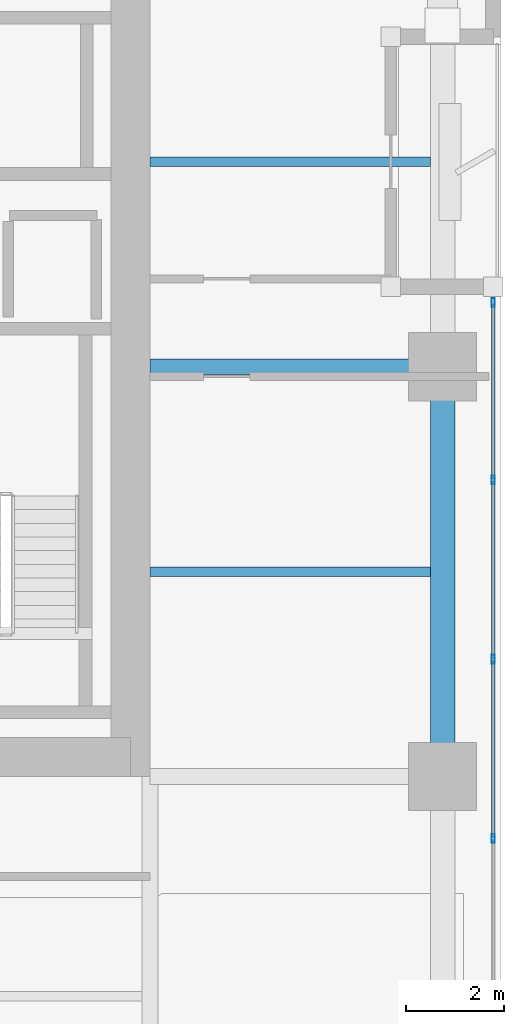
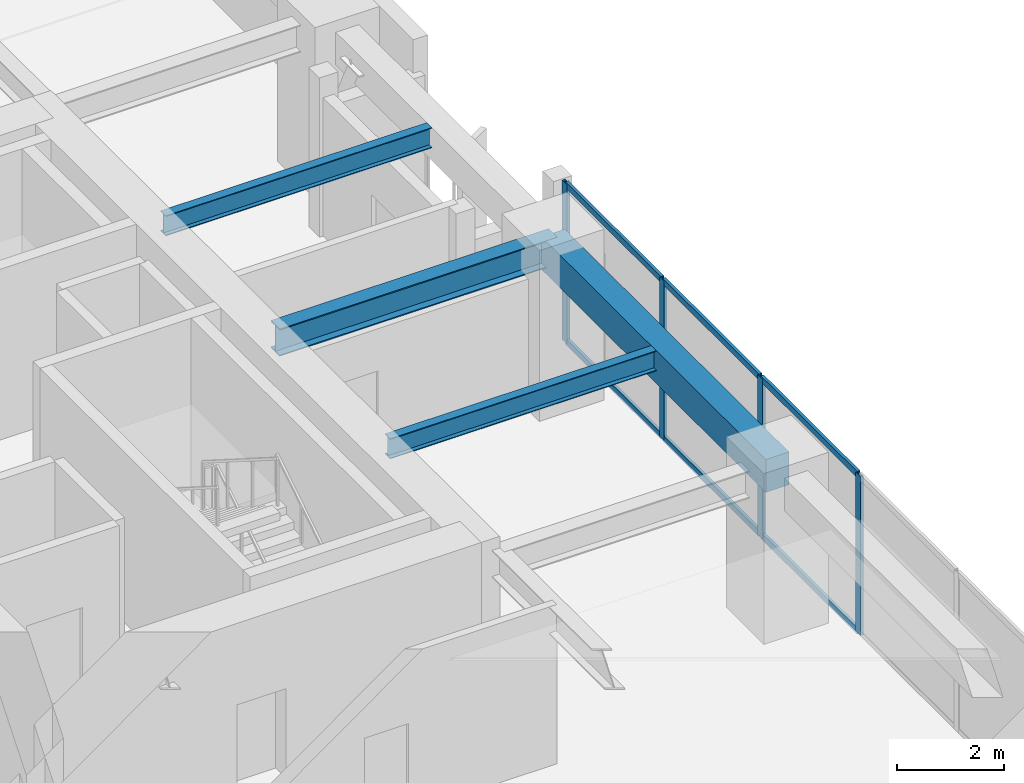
# One storey, part 6 of 24: 10 members, 4 beams, 1 element without a shape of its own.
"""IFC4 building model written with IfcOpenShell, lengths in metres."""

from ifc_helpers import new_model, si_unit, direction, frame, origin, origin_2d, place, context, subcontext, project, spatial, rectangle, hollow_rectangle, i_section, extrude, material, layer, layer_set, material_profile, profile_set, type_object, element, aggregate, save


model = new_model("IFC4")

# Units and contexts
model_context = context("Model", 3, precision=1e-05, world=origin(), true_north=direction((0.0, 1.0)))
body_context = subcontext(model_context, "Body", "Model", "MODEL_VIEW")
ifc_project = project(units=[si_unit("LENGTHUNIT", "METRE"), si_unit("AREAUNIT", "SQUARE_METRE"), si_unit("VOLUMEUNIT", "CUBIC_METRE"), si_unit("PLANEANGLEUNIT", "RADIAN"), si_unit("MASSUNIT", "GRAM", prefix="KILO")], contexts=[model_context])

# Site, building, storey
site_placement = place(None, origin())
site = spatial("IfcSite", under=ifc_project, at=site_placement, CompositionType="ELEMENT")
building_placement = place(site_placement, origin())
building = spatial("IfcBuilding", under=site, at=building_placement, Name="Kiyonajd Concourse Tower", CompositionType="ELEMENT")
storey_placement = place(building_placement, frame((0.0, 0.0, 137.699951171875)))
storey = spatial("IfcBuildingStorey", under=building, at=storey_placement, Name="L35", CompositionType="ELEMENT", Elevation=137.699951171875)

# Beams
ifc_material_1 = material(Name="Steel ASTM A992 Grade 50", Category="steel")
ifc_material_profile_1 = material_profile(ifc_material_1, i_section(OverallWidth=0.19189453125, OverallDepth=0.462890625, WebThickness=0.010498046875, FlangeThickness=0.017578125, at=origin_2d()), Name="W460X89")
ifc_profile_set_1 = profile_set([ifc_material_profile_1], Name="Steel ASTM A992 Grade 50")
beam_type_1 = type_object("IfcBeamType", Name="BM-JST-460B", PredefinedType="JOIST", material=ifc_profile_set_1)
for number, where, z_axis, x_axis, name in (
    (1, (63.60009765625, 31.800048828125, 3.408447265625), (1.0, 0.0, 0.0), (0.0, 1.0, 0.0), "L35 East Secondary Floor Joist"),
    (2, (63.60009765625, 40.199951171875, 3.408447265625), (1.0, 0.0, 0.0), (0.0, 1.0, 0.0), "L35 East Secondary Floor Joist"),
):
    element("IfcBeam", number, at=place(storey_placement, frame(where, z_axis=z_axis, x_axis=x_axis)), inside=storey, type_object=beam_type_1, Name=name, PredefinedType="JOIST", context=body_context, shape_type="SweptSolid", body=[
        extrude(i_section(OverallWidth=0.19189453125, OverallDepth=0.462890625, WebThickness=0.010498046875, FlangeThickness=0.017578125, at=origin_2d()), origin(), (0.0, 0.0, 1.0), 5.75),
    ])
ifc_material_2 = material(Name="Precast concrete C50/60", Category="concrete")
ifc_material_profile_2 = material_profile(ifc_material_2, rectangle(XDim=0.5, YDim=0.75, at=origin_2d()), Name="RCBM-500x750")
ifc_profile_set_2 = profile_set([ifc_material_profile_2], Name="Precast concrete C50/60")
beam_type_2 = type_object("IfcBeamType", Name="BM-SPAN-RC", PredefinedType="SPANDREL", material=ifc_profile_set_2)
beam_1_placement = place(storey_placement, frame((69.60009765625, 27.60009765625, 3.26513671875), z_axis=(0.0, 1.0, 0.0), x_axis=(-1.0, 0.0, 0.0)))
element("IfcBeam", 3, at=beam_1_placement, inside=storey, type_object=beam_type_2, Name="L35 Perimeter Bundled Tube Spandrel", PredefinedType="SPANDREL", context=body_context, shape_type="SweptSolid", body=[
    extrude(rectangle(XDim=0.5, YDim=0.75, at=origin_2d()), origin(), (0.0, 0.0, 1.0), 8.39990234375),
])
ifc_material_profile_3 = material_profile(ifc_material_1, i_section(OverallWidth=0.326904296875, OverallDepth=0.6220703125, WebThickness=0.015380859375, FlangeThickness=0.0244140625, at=origin_2d()), Name="W610X195")
ifc_profile_set_3 = profile_set([ifc_material_profile_3], Name="Steel ASTM A992 Grade 50")
beam_type_3 = type_object("IfcBeamType", Name="BM-TWR-610A", PredefinedType="BEAM", material=ifc_profile_set_3)
beam_2_placement = place(storey_placement, frame((63.60009765625, 36.0, 3.3291015625), z_axis=(1.0, 0.0, 0.0), x_axis=(0.0, 1.0, 0.0)))
element("IfcBeam", 4, at=beam_2_placement, inside=storey, type_object=beam_type_3, Name="L35 East Lease Girder", PredefinedType="BEAM", context=body_context, shape_type="SweptSolid", body=[
    extrude(i_section(OverallWidth=0.326904296875, OverallDepth=0.6220703125, WebThickness=0.015380859375, FlangeThickness=0.0244140625, at=origin_2d()), origin(), (0.0, 0.0, 1.0), 6.0),
])

# Curtain wall, members
ifc_material_3 = material(Name="Thermally Broken Anodised Aluminium", Category="aluminium")
ifc_layer = layer(ifc_material_3, 0.179931640625)
ifc_layer_set = layer_set([ifc_layer], Name="Thermally Broken Anodised Aluminium")
curtain_wall_type = type_object("IfcCurtainWallType", Name="CW-SYS-03", PredefinedType="NOTDEFINED", material=ifc_layer_set)
curtain_wall_placement = place(storey_placement, origin())
curtain_wall = element("IfcCurtainWall", 5, at=curtain_wall_placement, inside=storey, type_object=curtain_wall_type, Name="L35 Unitised Curtain Wall CW3", PredefinedType="NOTDEFINED")
ifc_material_profile_4 = material_profile(ifc_material_3, hollow_rectangle(XDim=0.06494140625, YDim=0.179931640625, WallThickness=0.00390625, at=origin_2d()), Name="MULL-65x180")
ifc_profile_set_4 = profile_set([ifc_material_profile_4], Name="Thermally Broken Anodised Aluminium")
member_type_1 = type_object("IfcMemberType", Name="MB-CW-MULL1", PredefinedType="MULLION", material=ifc_profile_set_4)
member_1_placement = place(storey_placement, frame((70.639892578125, 37.3173828125, 0.0), z_axis=(0.0, 0.0, 1.0), x_axis=(1.0, 0.0, 0.0)))
member_1 = element("IfcMember", 6, at=member_1_placement, type_object=member_type_1, Name="CW3 mullion 1", PredefinedType="MULLION", context=body_context, shape_type="SweptSolid", body=[
    extrude(hollow_rectangle(XDim=0.06494140625, YDim=0.179931640625, WallThickness=0.00390625, at=origin_2d()), origin(), (0.0, 0.0, 1.0), 3.64013671875),
])
member_2_placement = place(storey_placement, frame((70.639892578125, 33.6767578125, 0.0), z_axis=(0.0, 0.0, 1.0), x_axis=(1.0, 0.0, 0.0)))
member_2 = element("IfcMember", 7, at=member_2_placement, type_object=member_type_1, Name="CW3 mullion 2", PredefinedType="MULLION", context=body_context, shape_type="SweptSolid", body=[
    extrude(hollow_rectangle(XDim=0.06494140625, YDim=0.179931640625, WallThickness=0.00390625, at=origin_2d()), origin(), (0.0, 0.0, 1.0), 3.64013671875),
])
member_3_placement = place(storey_placement, frame((70.639892578125, 30.003662109375, 0.0), z_axis=(0.0, 0.0, 1.0), x_axis=(1.0, 0.0, 0.0)))
member_3 = element("IfcMember", 8, at=member_3_placement, type_object=member_type_1, Name="CW3 mullion 3", PredefinedType="MULLION", context=body_context, shape_type="SweptSolid", body=[
    extrude(hollow_rectangle(XDim=0.06494140625, YDim=0.179931640625, WallThickness=0.00390625, at=origin_2d()), origin(), (0.0, 0.0, 1.0), 3.64013671875),
])
member_4_placement = place(storey_placement, frame((70.639892578125, 26.33056640625, 0.0), z_axis=(0.0, 0.0, 1.0), x_axis=(1.0, 0.0, 0.0)))
member_4 = element("IfcMember", 9, at=member_4_placement, type_object=member_type_1, Name="CW3 mullion 4", PredefinedType="MULLION", context=body_context, shape_type="SweptSolid", body=[
    extrude(hollow_rectangle(XDim=0.06494140625, YDim=0.179931640625, WallThickness=0.00390625, at=origin_2d()), origin(), (0.0, 0.0, 1.0), 3.64013671875),
])
ifc_material_profile_5 = material_profile(ifc_material_3, hollow_rectangle(XDim=0.06494140625, YDim=0.139892578125, WallThickness=0.00390625, at=origin_2d()), Name="TRAN-65x140")
ifc_profile_set_5 = profile_set([ifc_material_profile_5], Name="Thermally Broken Anodised Aluminium")
member_type_2 = type_object("IfcMemberType", Name="MB-CW-TRAN1", PredefinedType="USERDEFINED", material=ifc_profile_set_5)
member_5_placement = place(storey_placement, frame((70.639892578125, 37.284912109375, 0.032470703125), z_axis=(0.0, -1.0, 0.0), x_axis=(1.0, 0.0, 0.0)))
member_5 = element("IfcMember", 10, at=member_5_placement, type_object=member_type_2, Name="CW3 transom 1.1", ObjectType="TRANSOM", PredefinedType="USERDEFINED", context=body_context, shape_type="SweptSolid", body=[
    extrude(hollow_rectangle(XDim=0.06494140625, YDim=0.139892578125, WallThickness=0.00390625, at=origin_2d()), origin(), (0.0, 0.0, 1.0), 3.57568359375),
])
member_6_placement = place(storey_placement, frame((70.639892578125, 37.284912109375, 3.607666015625), z_axis=(0.0, -1.0, 0.0), x_axis=(1.0, 0.0, 0.0)))
member_6 = element("IfcMember", 11, at=member_6_placement, type_object=member_type_2, Name="CW3 transom 1.2", ObjectType="TRANSOM", PredefinedType="USERDEFINED", context=body_context, shape_type="SweptSolid", body=[
    extrude(hollow_rectangle(XDim=0.06494140625, YDim=0.139892578125, WallThickness=0.00390625, at=origin_2d()), origin(), (0.0, 0.0, 1.0), 3.57568359375),
])
member_7_placement = place(storey_placement, frame((70.639892578125, 33.644287109375, 0.032470703125), z_axis=(0.0, -1.0, 0.0), x_axis=(1.0, 0.0, 0.0)))
member_7 = element("IfcMember", 12, at=member_7_placement, type_object=member_type_2, Name="CW3 transom 2.1", ObjectType="TRANSOM", PredefinedType="USERDEFINED", context=body_context, shape_type="SweptSolid", body=[
    extrude(hollow_rectangle(XDim=0.06494140625, YDim=0.139892578125, WallThickness=0.00390625, at=origin_2d()), origin(), (0.0, 0.0, 1.0), 3.608154296875),
])
member_8_placement = place(storey_placement, frame((70.639892578125, 33.644287109375, 3.607666015625), z_axis=(0.0, -1.0, 0.0), x_axis=(1.0, 0.0, 0.0)))
member_8 = element("IfcMember", 13, at=member_8_placement, type_object=member_type_2, Name="CW3 transom 2.2", ObjectType="TRANSOM", PredefinedType="USERDEFINED", context=body_context, shape_type="SweptSolid", body=[
    extrude(hollow_rectangle(XDim=0.06494140625, YDim=0.139892578125, WallThickness=0.00390625, at=origin_2d()), origin(), (0.0, 0.0, 1.0), 3.608154296875),
])
member_9_placement = place(storey_placement, frame((70.639892578125, 29.97119140625, 0.032470703125), z_axis=(0.0, -1.0, 0.0), x_axis=(1.0, 0.0, 0.0)))
member_9 = element("IfcMember", 14, at=member_9_placement, type_object=member_type_2, Name="CW3 transom 3.1", ObjectType="TRANSOM", PredefinedType="USERDEFINED", context=body_context, shape_type="SweptSolid", body=[
    extrude(hollow_rectangle(XDim=0.06494140625, YDim=0.139892578125, WallThickness=0.00390625, at=origin_2d()), origin(), (0.0, 0.0, 1.0), 3.608154296875),
])
member_10_placement = place(storey_placement, frame((70.639892578125, 29.97119140625, 3.607666015625), z_axis=(0.0, -1.0, 0.0), x_axis=(1.0, 0.0, 0.0)))
member_10 = element("IfcMember", 15, at=member_10_placement, type_object=member_type_2, Name="CW3 transom 3.2", ObjectType="TRANSOM", PredefinedType="USERDEFINED", context=body_context, shape_type="SweptSolid", body=[
    extrude(hollow_rectangle(XDim=0.06494140625, YDim=0.139892578125, WallThickness=0.00390625, at=origin_2d()), origin(), (0.0, 0.0, 1.0), 3.608154296875),
])
aggregate(curtain_wall, [member_1, member_2, member_3, member_4, member_5, member_6, member_7, member_8, member_9, member_10])

save(model, "model.ifc")
